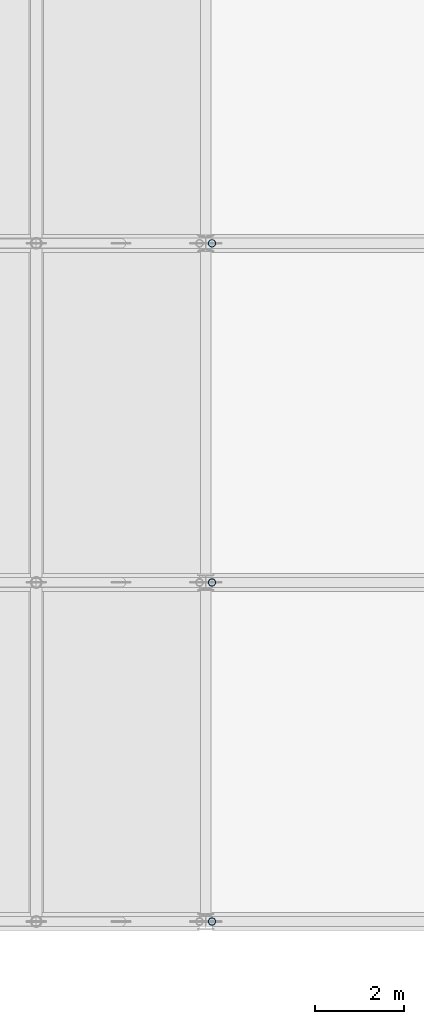
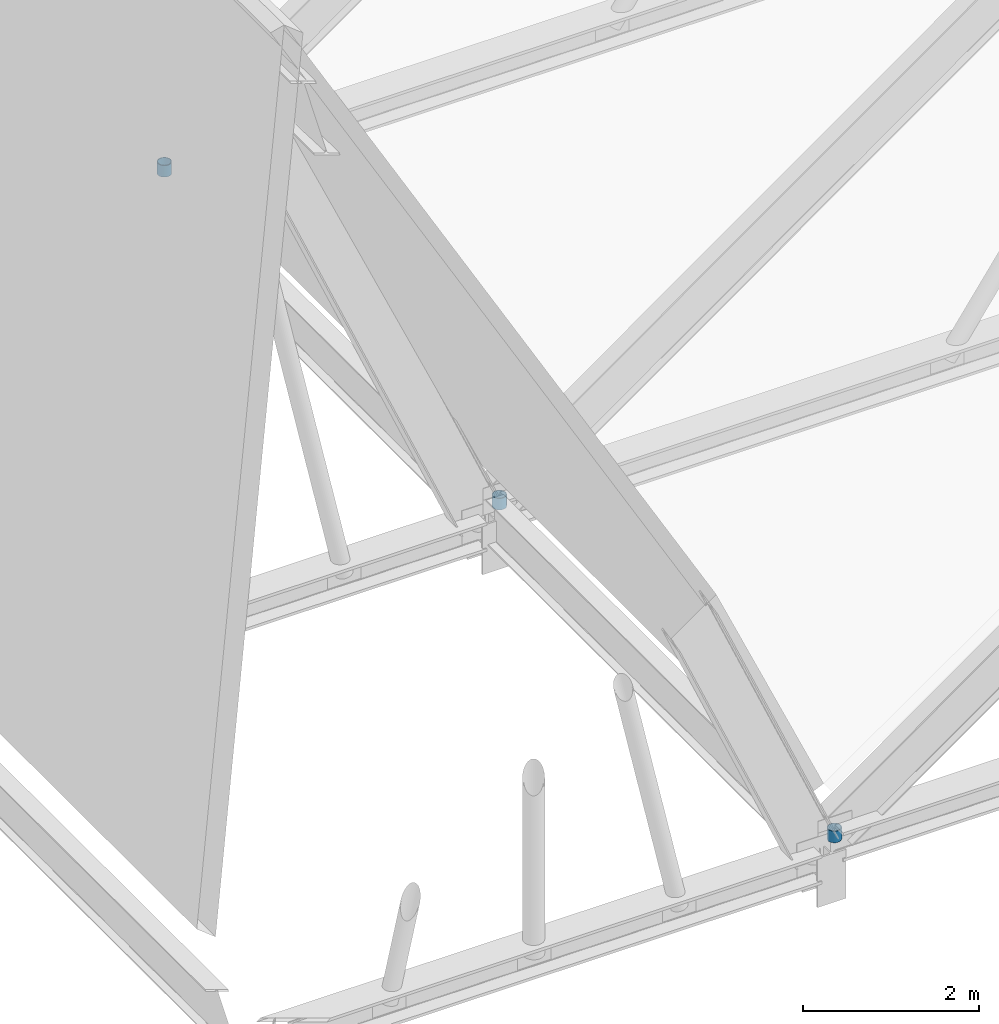
# One storey, part 65 of 100: 3 members.
"""IFC4 building model written with IfcOpenShell, lengths in metres."""

from ifc_helpers import new_model, si_unit, direction, frame, origin, origin_2d, place, context, subcontext, project, spatial, hollow_circle, extrude, material, material_profile, profile_set, type_object, element, save


model = new_model("IFC4")

# Units and contexts
model_context = context("Model", 3, precision=1e-05, world=origin(), true_north=direction((0.0, 1.0)))
body_context = subcontext(model_context, "Body", "Model", "MODEL_VIEW")
ifc_project = project(units=[si_unit("LENGTHUNIT", "METRE"), si_unit("AREAUNIT", "SQUARE_METRE"), si_unit("VOLUMEUNIT", "CUBIC_METRE"), si_unit("PLANEANGLEUNIT", "RADIAN"), si_unit("MASSUNIT", "GRAM", prefix="KILO")], contexts=[model_context])

# Site, building, storey
site_placement = place(None, origin())
site = spatial("IfcSite", under=ifc_project, at=site_placement, CompositionType="ELEMENT")
building_placement = place(site_placement, origin())
building = spatial("IfcBuilding", under=site, at=building_placement, Name="Zulena Civic Courthouse", CompositionType="ELEMENT")
storey_placement = place(building_placement, frame((0.0, 0.0, 20.39990234375)))
storey = spatial("IfcBuildingStorey", under=building, at=storey_placement, Name="L04", CompositionType="ELEMENT", Elevation=20.39990234375)

# Members
ifc_material = material(Name="Steel ASTM A500 Grade C", Category="steel")
ifc_material_profile = material_profile(ifc_material, hollow_circle(Radius=0.083984375, WallThickness=0.00732421875, at=origin_2d()), Name="HSS6.625X0.312")
ifc_profile_set = profile_set([ifc_material_profile], Name="Steel ASTM A500 Grade C")
member_type = type_object("IfcMemberType", Name="RoofWeb_CHS6", PredefinedType="USERDEFINED", material=ifc_profile_set)
for number, where, z_axis, x_axis, name in (
    (1, (132.139892578125, 0.0, 0.536376953125), (0.0, 0.0, 1.0), (1.0, 0.0, 0.0), "mem:fold:postW:06:0.0"),
    (2, (132.139892578125, 7.60009765625, 0.536376953125), (0.0, 0.0, 1.0), (1.0, 0.0, 0.0), "mem:fold:postW:06:7.6"),
    (3, (132.139892578125, 15.199951171875, 0.536376953125), (0.0, 0.0, 1.0), (1.0, 0.0, 0.0), "mem:fold:postW:06:15.2"),
):
    element("IfcMember", number, at=place(storey_placement, frame(where, z_axis=z_axis, x_axis=x_axis)), inside=storey, type_object=member_type, Name=name, ObjectType="ROOF TRUSS", PredefinedType="USERDEFINED", context=body_context, shape_type="SweptSolid", body=[
        extrude(hollow_circle(Radius=0.083984375, WallThickness=0.00732421875, at=origin_2d()), origin(), (0.0, 0.0, 1.0), 0.16015625),
    ])

save(model, "model.ifc")
